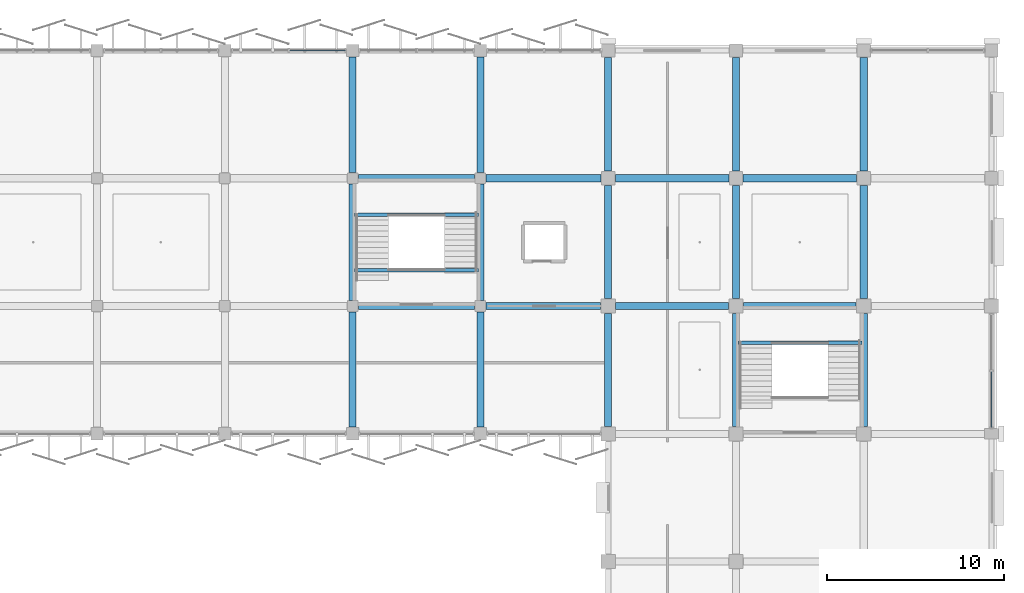
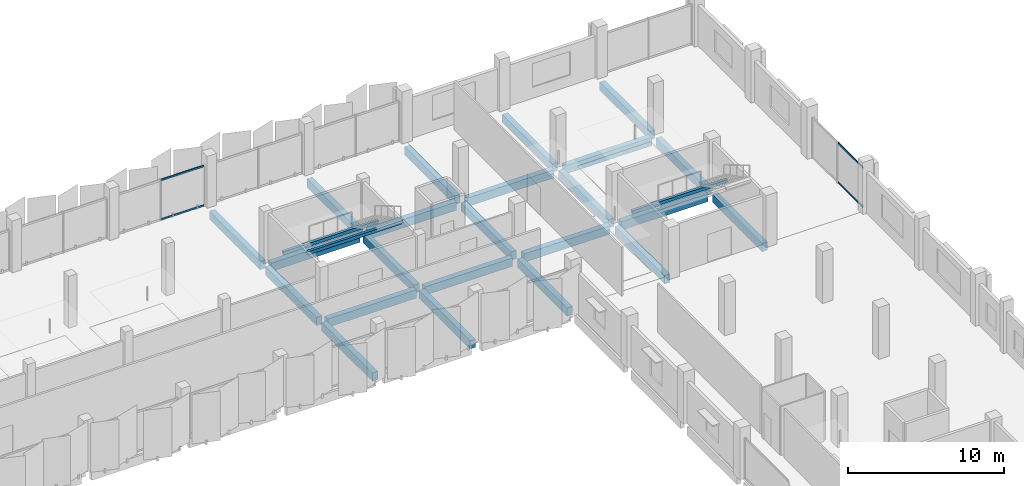
# One storey, part 66 of 107: 26 beams, 4 members, 2 elements without a shape of their own.
"""IFC4 building model written with IfcOpenShell, lengths in metres."""

from ifc_helpers import new_model, si_unit, direction, frame, origin, origin_2d, place, context, subcontext, project, spatial, rectangle, hollow_rectangle, extrude, material, layer, layer_set, material_profile, profile_set, type_object, element, aggregate, save


model = new_model("IFC4")

# Units and contexts
model_context = context("Model", 3, precision=1e-05, world=origin(), true_north=direction((0.0, 1.0)))
body_context = subcontext(model_context, "Body", "Model", "MODEL_VIEW")
ifc_project = project(units=[si_unit("LENGTHUNIT", "METRE"), si_unit("AREAUNIT", "SQUARE_METRE"), si_unit("VOLUMEUNIT", "CUBIC_METRE"), si_unit("PLANEANGLEUNIT", "RADIAN"), si_unit("MASSUNIT", "GRAM", prefix="KILO")], contexts=[model_context])

# Site, building, storey
site_placement = place(None, origin())
site = spatial("IfcSite", under=ifc_project, at=site_placement, CompositionType="ELEMENT")
building_placement = place(site_placement, origin())
building = spatial("IfcBuilding", under=site, at=building_placement, Name="Kangsadwip Square Police Headquarters", CompositionType="ELEMENT")
storey_placement = place(building_placement, frame((0.0, 0.0, 5.39990234375)))
storey = spatial("IfcBuildingStorey", under=building, at=storey_placement, Name="L01", CompositionType="ELEMENT", Elevation=5.39990234375)

# Curtain wall, members
ifc_material_1 = material(Name="Thermally broken anodised aluminium AW-6063-T6", Category="aluminium")
ifc_layer = layer(ifc_material_1, 0.159912109375)
ifc_layer_set = layer_set([ifc_layer], Name="Thermally broken anodised aluminium AW-6063-T6")
curtain_wall_type = type_object("IfcCurtainWallType", Name="UnitisedCw6510x3200", PredefinedType="NOTDEFINED", material=ifc_layer_set)
curtain_wall_1_placement = place(storey_placement, origin())
curtain_wall_1 = element("IfcCurtainWall", 1, at=curtain_wall_1_placement, inside=storey, type_object=curtain_wall_type, Name="Curtain Wall CW-L01-1227-1152", PredefinedType="NOTDEFINED")
ifc_material_2 = material(Name="Thermally broken anodised aluminium AW-6063-T6", Category="aluminium")
ifc_material_profile_1 = material_profile(ifc_material_2, hollow_rectangle(XDim=0.06494140625, YDim=0.1298828125, WallThickness=0.00390625, at=origin_2d()), Name="CWT 130X65X4")
ifc_profile_set_1 = profile_set([ifc_material_profile_1], Name="Thermally broken anodised aluminium AW-6063-T6")
member_type = type_object("IfcMemberType", Name="CwTransom140x60", PredefinedType="USERDEFINED", material=ifc_profile_set_1)
member_1_placement = place(storey_placement, frame((126.032470703125, 115.199951171875, 0.065185546875), z_axis=(1.0, 0.0, 0.0), x_axis=(0.0, 1.0, 0.0)))
member_1 = element("IfcMember", 2, at=member_1_placement, type_object=member_type, Name="CW-24 transom 2.1", ObjectType="TRANSOM", PredefinedType="USERDEFINED", context=body_context, shape_type="SweptSolid", body=[
    extrude(hollow_rectangle(XDim=0.06494140625, YDim=0.1298828125, WallThickness=0.00390625, at=origin_2d()), origin(), (0.0, 0.0, 1.0), 3.157470703125),
])
member_2_placement = place(storey_placement, frame((126.032470703125, 115.199951171875, 3.135009765625), z_axis=(1.0, 0.0, 0.0), x_axis=(0.0, 1.0, 0.0)))
member_2 = element("IfcMember", 3, at=member_2_placement, type_object=member_type, Name="CW-24 transom 2.2", ObjectType="TRANSOM", PredefinedType="USERDEFINED", context=body_context, shape_type="SweptSolid", body=[
    extrude(hollow_rectangle(XDim=0.06494140625, YDim=0.1298828125, WallThickness=0.00390625, at=origin_2d()), origin(), (0.0, 0.0, 1.0), 3.157470703125),
])
aggregate(curtain_wall_1, [member_1, member_2])

curtain_wall_2_placement = place(storey_placement, origin())
curtain_wall_2 = element("IfcCurtainWall", 4, at=curtain_wall_2_placement, inside=storey, type_object=curtain_wall_type, Name="Curtain Wall CW-L01-1656-0939", PredefinedType="NOTDEFINED")
member_3_placement = place(storey_placement, frame((165.60009765625, 93.9599609375, 0.065185546875), z_axis=(0.0, 1.0, 0.0), x_axis=(-1.0, 0.0, 0.0)))
member_3 = element("IfcMember", 5, at=member_3_placement, type_object=member_type, Name="CW-24 transom 1.1", ObjectType="TRANSOM", PredefinedType="USERDEFINED", context=body_context, shape_type="SweptSolid", body=[
    extrude(hollow_rectangle(XDim=0.06494140625, YDim=0.1298828125, WallThickness=0.00390625, at=origin_2d()), origin(), (0.0, 0.0, 1.0), 3.157470703125),
])
member_4_placement = place(storey_placement, frame((165.60009765625, 93.9599609375, 3.135009765625), z_axis=(0.0, 1.0, 0.0), x_axis=(-1.0, 0.0, 0.0)))
member_4 = element("IfcMember", 6, at=member_4_placement, type_object=member_type, Name="CW-24 transom 1.2", ObjectType="TRANSOM", PredefinedType="USERDEFINED", context=body_context, shape_type="SweptSolid", body=[
    extrude(hollow_rectangle(XDim=0.06494140625, YDim=0.1298828125, WallThickness=0.00390625, at=origin_2d()), origin(), (0.0, 0.0, 1.0), 3.157470703125),
])
aggregate(curtain_wall_2, [member_3, member_4])

# Beams
ifc_material_3 = material(Name="Concrete M35 (35 MPa)", Category="concrete")
ifc_material_profile_2 = material_profile(ifc_material_3, rectangle(XDim=0.39990234375, YDim=0.64990234375, at=origin_2d()), Name="RC BM 650X400")
ifc_profile_set_2 = profile_set([ifc_material_profile_2], Name="Concrete M35 (35 MPa)")
beam_type_1 = type_object("IfcBeamType", Name="RcBeam650x400", PredefinedType="BEAM", material=ifc_profile_set_2)
beam_1_placement = place(storey_placement, frame((129.925048828125, 100.800048828125, -0.56494140625), z_axis=(1.0, 0.0, 0.0), x_axis=(0.0, 1.0, 0.0)))
element("IfcBeam", 7, at=beam_1_placement, inside=storey, type_object=beam_type_1, Name="Beam BM-L01-X-18-14", PredefinedType="BEAM", context=body_context, shape_type="SweptSolid", body=[
    extrude(rectangle(XDim=0.39990234375, YDim=0.64990234375, at=origin_2d()), origin(), (0.0, 0.0, 1.0), 6.550048828125),
])
beam_2_placement = place(storey_placement, frame((137.125, 100.800048828125, -0.56494140625), z_axis=(1.0, 0.0, 0.0), x_axis=(0.0, 1.0, 0.0)))
element("IfcBeam", 8, at=beam_2_placement, inside=storey, type_object=beam_type_1, Name="Beam BM-L01-X-19-14", PredefinedType="BEAM", context=body_context, shape_type="SweptSolid", body=[
    extrude(rectangle(XDim=0.39990234375, YDim=0.64990234375, at=origin_2d()), origin(), (0.0, 0.0, 1.0), 6.449951171875),
])
beam_3_placement = place(storey_placement, frame((144.425048828125, 100.800048828125, -0.56494140625), z_axis=(1.0, 0.0, 0.0), x_axis=(0.0, 1.0, 0.0)))
element("IfcBeam", 9, at=beam_3_placement, inside=storey, type_object=beam_type_1, Name="Beam BM-L01-X-20-14", PredefinedType="BEAM", context=body_context, shape_type="SweptSolid", body=[
    extrude(rectangle(XDim=0.39990234375, YDim=0.64990234375, at=origin_2d()), origin(), (0.0, 0.0, 1.0), 6.349853515625),
])
beam_4_placement = place(storey_placement, frame((151.625, 100.800048828125, -0.56494140625), z_axis=(1.0, 0.0, 0.0), x_axis=(0.0, 1.0, 0.0)))
element("IfcBeam", 10, at=beam_4_placement, inside=storey, type_object=beam_type_1, Name="Beam BM-L01-X-21-14", PredefinedType="BEAM", context=body_context, shape_type="SweptSolid", body=[
    extrude(rectangle(XDim=0.39990234375, YDim=0.64990234375, at=origin_2d()), origin(), (0.0, 0.0, 1.0), 6.35009765625),
])
beam_5_placement = place(storey_placement, frame((129.925048828125, 108.0, -0.56494140625), z_axis=(1.0, 0.0, 0.0), x_axis=(0.0, 1.0, 0.0)))
element("IfcBeam", 11, at=beam_5_placement, inside=storey, type_object=beam_type_1, Name="Beam BM-L01-X-18-15", PredefinedType="BEAM", context=body_context, shape_type="SweptSolid", body=[
    extrude(rectangle(XDim=0.39990234375, YDim=0.64990234375, at=origin_2d()), origin(), (0.0, 0.0, 1.0), 6.550048828125),
])
beam_6_placement = place(storey_placement, frame((137.125, 108.0, -0.56494140625), z_axis=(1.0, 0.0, 0.0), x_axis=(0.0, 1.0, 0.0)))
element("IfcBeam", 12, at=beam_6_placement, inside=storey, type_object=beam_type_1, Name="Beam BM-L01-X-19-15", PredefinedType="BEAM", context=body_context, shape_type="SweptSolid", body=[
    extrude(rectangle(XDim=0.39990234375, YDim=0.64990234375, at=origin_2d()), origin(), (0.0, 0.0, 1.0), 6.47509765625),
])
beam_7_placement = place(storey_placement, frame((144.39990234375, 108.0, -0.56494140625), z_axis=(1.0, 0.0, 0.0), x_axis=(0.0, 1.0, 0.0)))
element("IfcBeam", 13, at=beam_7_placement, inside=storey, type_object=beam_type_1, Name="Beam BM-L01-X-20-15", PredefinedType="BEAM", context=body_context, shape_type="SweptSolid", body=[
    extrude(rectangle(XDim=0.39990234375, YDim=0.64990234375, at=origin_2d()), origin(), (0.0, 0.0, 1.0), 6.400146484375),
])
beam_8_placement = place(storey_placement, frame((151.60009765625, 108.0, -0.56494140625), z_axis=(1.0, 0.0, 0.0), x_axis=(0.0, 1.0, 0.0)))
element("IfcBeam", 14, at=beam_8_placement, inside=storey, type_object=beam_type_1, Name="Beam BM-L01-X-21-15", PredefinedType="BEAM", context=body_context, shape_type="SweptSolid", body=[
    extrude(rectangle(XDim=0.39990234375, YDim=0.64990234375, at=origin_2d()), origin(), (0.0, 0.0, 1.0), 6.39990234375),
])
beam_9_placement = place(storey_placement, frame((129.60009765625, 93.97509765625, -0.56494140625), z_axis=(0.0, 1.0, 0.0), x_axis=(-1.0, 0.0, 0.0)))
element("IfcBeam", 15, at=beam_9_placement, inside=storey, type_object=beam_type_1, Name="Beam BM-L01-Y-18-13", PredefinedType="BEAM", context=body_context, shape_type="SweptSolid", body=[
    extrude(rectangle(XDim=0.39990234375, YDim=0.64990234375, at=origin_2d()), origin(), (0.0, 0.0, 1.0), 6.5),
])
beam_10_placement = place(storey_placement, frame((129.60009765625, 101.125, -0.56494140625), z_axis=(0.0, 1.0, 0.0), x_axis=(-1.0, 0.0, 0.0)))
element("IfcBeam", 16, at=beam_10_placement, inside=storey, type_object=beam_type_1, Name="Beam BM-L01-Y-18-14", PredefinedType="BEAM", context=body_context, shape_type="SweptSolid", body=[
    extrude(rectangle(XDim=0.39990234375, YDim=0.64990234375, at=origin_2d()), origin(), (0.0, 0.0, 1.0), 6.550048828125),
])
for number, where, z_axis, x_axis, name in (
    (17, (129.60009765625, 108.324951171875, -0.56494140625), (0.0, 1.0, 0.0), (-1.0, 0.0, 0.0), "Beam BM-L01-Y-18-15"),
    (18, (136.800048828125, 93.97509765625, -0.56494140625), (0.0, 1.0, 0.0), (-1.0, 0.0, 0.0), "Beam BM-L01-Y-19-13"),
):
    element("IfcBeam", number, at=place(storey_placement, frame(where, z_axis=z_axis, x_axis=x_axis)), inside=storey, type_object=beam_type_1, Name=name, PredefinedType="BEAM", context=body_context, shape_type="SweptSolid", body=[
        extrude(rectangle(XDim=0.39990234375, YDim=0.64990234375, at=origin_2d()), origin(), (0.0, 0.0, 1.0), 6.5),
    ])
beam_11_placement = place(storey_placement, frame((136.800048828125, 101.125, -0.56494140625), z_axis=(0.0, 1.0, 0.0), x_axis=(-1.0, 0.0, 0.0)))
element("IfcBeam", 19, at=beam_11_placement, inside=storey, type_object=beam_type_1, Name="Beam BM-L01-Y-19-14", PredefinedType="BEAM", context=body_context, shape_type="SweptSolid", body=[
    extrude(rectangle(XDim=0.39990234375, YDim=0.64990234375, at=origin_2d()), origin(), (0.0, 0.0, 1.0), 6.550048828125),
])
beam_12_placement = place(storey_placement, frame((136.800048828125, 108.324951171875, -0.56494140625), z_axis=(0.0, 1.0, 0.0), x_axis=(-1.0, 0.0, 0.0)))
element("IfcBeam", 20, at=beam_12_placement, inside=storey, type_object=beam_type_1, Name="Beam BM-L01-Y-19-15", PredefinedType="BEAM", context=body_context, shape_type="SweptSolid", body=[
    extrude(rectangle(XDim=0.39990234375, YDim=0.64990234375, at=origin_2d()), origin(), (0.0, 0.0, 1.0), 6.5),
])
beam_13_placement = place(storey_placement, frame((144.0, 94.02490234375, -0.56494140625), z_axis=(0.0, 1.0, 0.0), x_axis=(-1.0, 0.0, 0.0)))
element("IfcBeam", 21, at=beam_13_placement, inside=storey, type_object=beam_type_1, Name="Beam BM-L01-Y-20-13", PredefinedType="BEAM", context=body_context, shape_type="SweptSolid", body=[
    extrude(rectangle(XDim=0.39990234375, YDim=0.64990234375, at=origin_2d()), origin(), (0.0, 0.0, 1.0), 6.35009765625),
])
beam_14_placement = place(storey_placement, frame((144.0, 101.22509765625, -0.56494140625), z_axis=(0.0, 1.0, 0.0), x_axis=(-1.0, 0.0, 0.0)))
element("IfcBeam", 22, at=beam_14_placement, inside=storey, type_object=beam_type_1, Name="Beam BM-L01-Y-20-14", PredefinedType="BEAM", context=body_context, shape_type="SweptSolid", body=[
    extrude(rectangle(XDim=0.39990234375, YDim=0.64990234375, at=origin_2d()), origin(), (0.0, 0.0, 1.0), 6.375),
])
beam_15_placement = place(storey_placement, frame((144.0, 108.39990234375, -0.56494140625), z_axis=(0.0, 1.0, 0.0), x_axis=(-1.0, 0.0, 0.0)))
element("IfcBeam", 23, at=beam_15_placement, inside=storey, type_object=beam_type_1, Name="Beam BM-L01-Y-20-15", PredefinedType="BEAM", context=body_context, shape_type="SweptSolid", body=[
    extrude(rectangle(XDim=0.39990234375, YDim=0.64990234375, at=origin_2d()), origin(), (0.0, 0.0, 1.0), 6.400146484375),
])
beam_16_placement = place(storey_placement, frame((151.199951171875, 94.02490234375, -0.56494140625), z_axis=(0.0, 1.0, 0.0), x_axis=(-1.0, 0.0, 0.0)))
element("IfcBeam", 24, at=beam_16_placement, inside=storey, type_object=beam_type_1, Name="Beam BM-L01-Y-21-13", PredefinedType="BEAM", context=body_context, shape_type="SweptSolid", body=[
    extrude(rectangle(XDim=0.39990234375, YDim=0.64990234375, at=origin_2d()), origin(), (0.0, 0.0, 1.0), 6.35009765625),
])
beam_17_placement = place(storey_placement, frame((151.199951171875, 101.22509765625, -0.56494140625), z_axis=(0.0, 1.0, 0.0), x_axis=(-1.0, 0.0, 0.0)))
element("IfcBeam", 25, at=beam_17_placement, inside=storey, type_object=beam_type_1, Name="Beam BM-L01-Y-21-14", PredefinedType="BEAM", context=body_context, shape_type="SweptSolid", body=[
    extrude(rectangle(XDim=0.39990234375, YDim=0.64990234375, at=origin_2d()), origin(), (0.0, 0.0, 1.0), 6.375),
])
beam_18_placement = place(storey_placement, frame((151.199951171875, 108.39990234375, -0.56494140625), z_axis=(0.0, 1.0, 0.0), x_axis=(-1.0, 0.0, 0.0)))
element("IfcBeam", 26, at=beam_18_placement, inside=storey, type_object=beam_type_1, Name="Beam BM-L01-Y-21-15", PredefinedType="BEAM", context=body_context, shape_type="SweptSolid", body=[
    extrude(rectangle(XDim=0.39990234375, YDim=0.64990234375, at=origin_2d()), origin(), (0.0, 0.0, 1.0), 6.400146484375),
])
beam_19_placement = place(storey_placement, frame((158.39990234375, 94.02490234375, -0.56494140625), z_axis=(0.0, 1.0, 0.0), x_axis=(-1.0, 0.0, 0.0)))
element("IfcBeam", 27, at=beam_19_placement, inside=storey, type_object=beam_type_1, Name="Beam BM-L01-Y-22-13", PredefinedType="BEAM", context=body_context, shape_type="SweptSolid", body=[
    extrude(rectangle(XDim=0.39990234375, YDim=0.64990234375, at=origin_2d()), origin(), (0.0, 0.0, 1.0), 6.35009765625),
])
beam_20_placement = place(storey_placement, frame((158.39990234375, 101.22509765625, -0.56494140625), z_axis=(0.0, 1.0, 0.0), x_axis=(-1.0, 0.0, 0.0)))
element("IfcBeam", 28, at=beam_20_placement, inside=storey, type_object=beam_type_1, Name="Beam BM-L01-Y-22-14", PredefinedType="BEAM", context=body_context, shape_type="SweptSolid", body=[
    extrude(rectangle(XDim=0.39990234375, YDim=0.64990234375, at=origin_2d()), origin(), (0.0, 0.0, 1.0), 6.375),
])
beam_21_placement = place(storey_placement, frame((158.39990234375, 108.39990234375, -0.56494140625), z_axis=(0.0, 1.0, 0.0), x_axis=(-1.0, 0.0, 0.0)))
element("IfcBeam", 29, at=beam_21_placement, inside=storey, type_object=beam_type_1, Name="Beam BM-L01-Y-22-15", PredefinedType="BEAM", context=body_context, shape_type="SweptSolid", body=[
    extrude(rectangle(XDim=0.39990234375, YDim=0.64990234375, at=origin_2d()), origin(), (0.0, 0.0, 1.0), 6.400146484375),
])
ifc_material_4 = material(Name="Concrete M30 (30 MPa)", Category="concrete")
ifc_material_profile_3 = material_profile(ifc_material_4, rectangle(XDim=0.199951171875, YDim=0.25, at=origin_2d()), Name="RC LNT 250X200")
ifc_profile_set_3 = profile_set([ifc_material_profile_3], Name="Concrete M30 (30 MPa)")
beam_type_2 = type_object("IfcBeamType", Name="RcLintel250x200", PredefinedType="LINTEL", material=ifc_profile_set_3)
for number, where, z_axis, x_axis, name in (
    (30, (151.300048828125, 98.739990234375, 1.801025390625), (1.0, 0.0, 0.0), (0.0, 1.0, 0.0), "Stair Carriage and Landing Beam BM-ST-L01-061"),
    (31, (129.699951171875, 105.93994140625, 1.801025390625), (1.0, 0.0, 0.0), (0.0, 1.0, 0.0), "Stair Carriage and Landing Beam BM-ST-L01-072"),
    (32, (129.699951171875, 102.820068359375, 3.68505859375), (1.0, 0.0, 0.0), (0.0, 1.0, 0.0), "Stair Carriage and Landing Beam BM-ST-L01-073"),
):
    element("IfcBeam", number, at=place(storey_placement, frame(where, z_axis=z_axis, x_axis=x_axis)), inside=storey, type_object=beam_type_2, Name=name, PredefinedType="BEAM", context=body_context, shape_type="SweptSolid", body=[
        extrude(rectangle(XDim=0.199951171875, YDim=0.25, at=origin_2d()), origin(), (0.0, 0.0, 1.0), 7.0),
    ])

save(model, "model.ifc")
